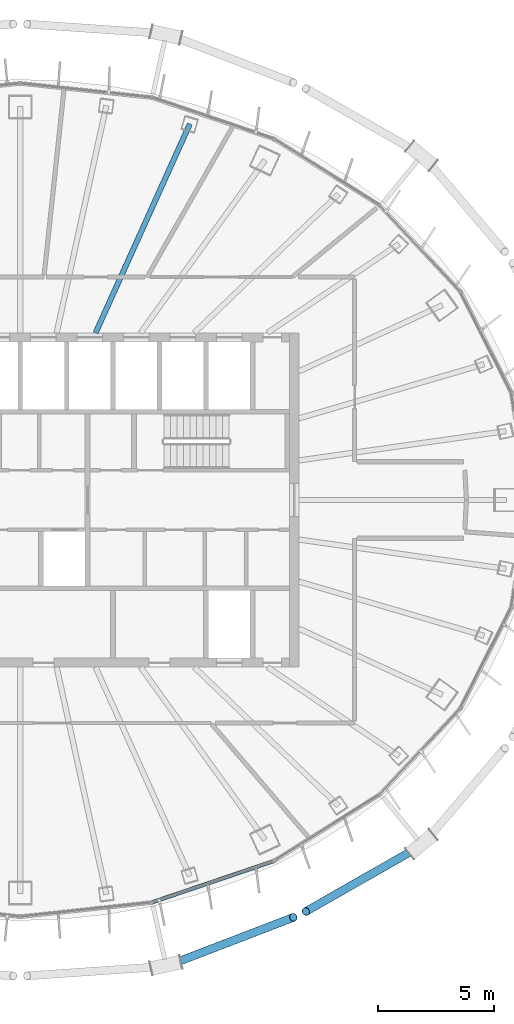
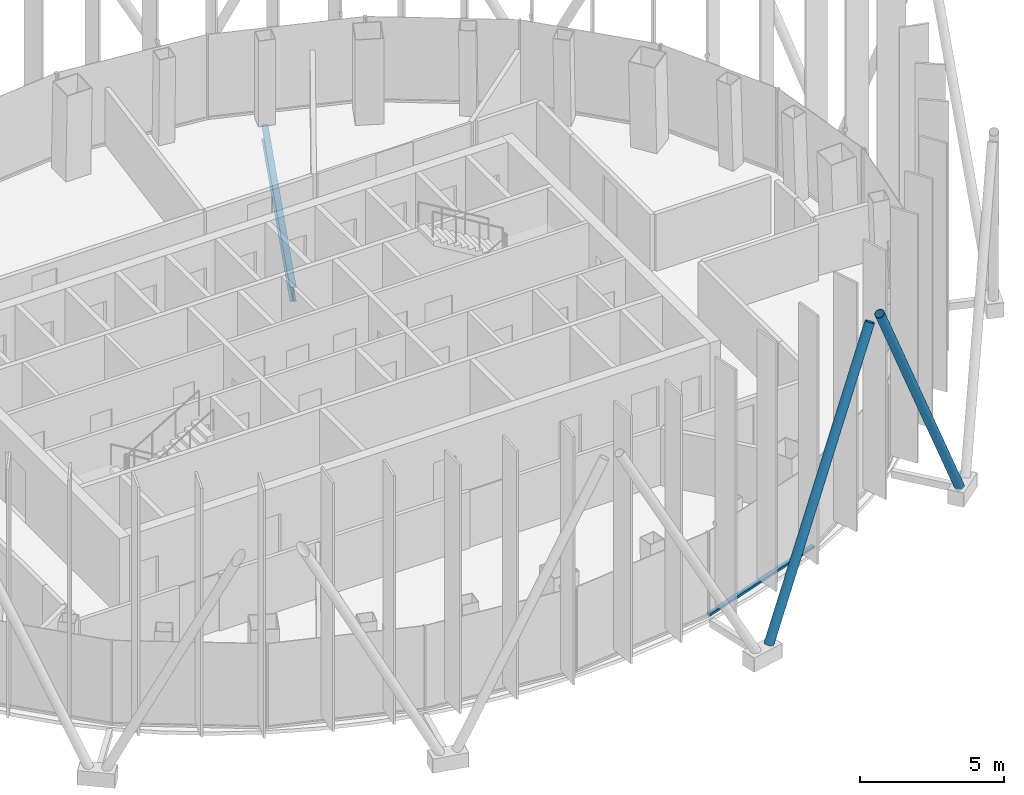
# One storey, part 5 of 19: 3 members, 1 beam, 1 element without a shape of its own.
"""IFC4 building model written with IfcOpenShell, lengths in metres."""

from ifc_helpers import new_model, si_unit, direction, frame, origin, origin_2d, place, context, subcontext, project, spatial, rectangle, hollow_circle, i_section, extrude, material, layer, layer_set, material_profile, profile_set, type_object, element, aggregate, save


model = new_model("IFC4")

# Units and contexts
model_context = context("Model", 3, precision=1e-05, world=origin(), true_north=direction((0.0, 1.0)))
body_context = subcontext(model_context, "Body", "Model", "MODEL_VIEW")
ifc_project = project(units=[si_unit("LENGTHUNIT", "METRE"), si_unit("AREAUNIT", "SQUARE_METRE"), si_unit("VOLUMEUNIT", "CUBIC_METRE"), si_unit("PLANEANGLEUNIT", "RADIAN"), si_unit("MASSUNIT", "GRAM", prefix="KILO")], contexts=[model_context])

# Site, building, storey
site_placement = place(None, origin())
site = spatial("IfcSite", under=ifc_project, at=site_placement, CompositionType="ELEMENT")
building_placement = place(site_placement, origin())
building = spatial("IfcBuilding", under=site, at=building_placement, Name="Siaravel Broadcast Tower", CompositionType="ELEMENT")
storey_placement = place(building_placement, frame((0.0, 0.0, 217.10009765625)))
storey = spatial("IfcBuildingStorey", under=building, at=storey_placement, Name="L52", CompositionType="ELEMENT", Elevation=217.10009765625)

# Beam
ifc_material_1 = material(Name="Steel S355", Category="steel")
ifc_material_profile_1 = material_profile(ifc_material_1, i_section(OverallWidth=0.2275390625, OverallDepth=0.6025390625, WebThickness=0.010498046875, FlangeThickness=0.014892578125, FilletRadius=0.0126953125, at=origin_2d()))
ifc_profile_set_1 = profile_set([ifc_material_profile_1], Name="Steel S355")
beam_type = type_object("IfcBeamType", Name="BM-UB 610x229x101", PredefinedType="BEAM", material=ifc_profile_set_1)
beam_placement = place(storey_placement, frame((7.3056640625, 16.188720703125, -0.451416015625), z_axis=(-0.411330004, -0.911486493, 0.0), x_axis=(0.911486493, -0.411330004, 0.0)))
element("IfcBeam", 1, at=beam_placement, inside=storey, type_object=beam_type, Name="Radial beam RB08", PredefinedType="BEAM", context=body_context, shape_type="SweptSolid", body=[
    extrude(i_section(OverallWidth=0.2275390625, OverallDepth=0.6025390625, WebThickness=0.010498046875, FlangeThickness=0.014892578125, FilletRadius=0.0126953125, at=origin_2d()), origin(), (0.0, 0.0, 1.0), 9.861572265625),
])

# Curtain wall, member
ifc_material_2 = material(Name="Aluminium 6063-T6", Category="aluminium")
ifc_layer = layer(ifc_material_2, 0.159912109375)
ifc_layer_set = layer_set([ifc_layer], Name="Aluminium 6063-T6")
curtain_wall_type = type_object("IfcCurtainWallType", Name="Unitised curtain wall, zone 4", PredefinedType="NOTDEFINED", material=ifc_layer_set)
curtain_wall_placement = place(storey_placement, origin())
curtain_wall = element("IfcCurtainWall", 2, at=curtain_wall_placement, inside=storey, type_object=curtain_wall_type, Name="L52 Unitised curtain wall, zone 4 10", PredefinedType="NOTDEFINED")
ifc_material_profile_2 = material_profile(ifc_material_2, rectangle(XDim=0.159912109375, YDim=0.090087890625, at=origin_2d()))
ifc_profile_set_2 = profile_set([ifc_material_profile_2], Name="Aluminium 6063-T6")
member_type_1 = type_object("IfcMemberType", Name="CW-Z4 transom", PredefinedType="USERDEFINED", material=ifc_profile_set_2)
member_1_placement = place(storey_placement, frame((5.6884765625, -17.31689453125, 0.044921875), z_axis=(0.946979908, 0.321292784, 0.0), x_axis=(-0.321292784, 0.946979908, 0.0)))
member_1 = element("IfcMember", 3, at=member_1_placement, type_object=member_type_1, Name="CW-Z4 transom 2", ObjectType="TRANSOM", PredefinedType="USERDEFINED", context=body_context, shape_type="SweptSolid", body=[
    extrude(rectangle(XDim=0.159912109375, YDim=0.090087890625, at=origin_2d()), origin(), (0.0, 0.0, 1.0), 5.489990234375),
])
aggregate(curtain_wall, [member_1])

# Members
ifc_material_3 = material(Name="Steel S460", Category="steel")
ifc_material_profile_3 = material_profile(ifc_material_3, hollow_circle(Radius=0.177734375, WallThickness=0.012451171875, at=origin_2d()))
ifc_profile_set_3 = profile_set([ifc_material_profile_3], Name="Steel S460")
member_type_2 = type_object("IfcMemberType", Name="Diagrid diagonal CHS 355.6x12.5", PredefinedType="BRACE", material=ifc_profile_set_3)
member_2_placement = place(storey_placement, frame((6.567626953125, -19.966552734375, 0.06982421875), z_axis=(0.433565517, 0.166901737, 0.885530774), x_axis=(-0.359252394, 0.933240439, 0.0)))
element("IfcMember", 4, at=member_2_placement, inside=storey, type_object=member_type_2, Name="Diagrid diagonal R22 station 57A", PredefinedType="BRACE", context=body_context, shape_type="SweptSolid", body=[
    extrude(hollow_circle(Radius=0.177734375, WallThickness=0.012451171875, at=origin_2d()), origin(), (0.0, 0.0, 1.0), 11.981689453125),
])
member_3_placement = place(storey_placement, frame((17.05029296875, -15.00244140625, 0.06982421875), z_axis=(-0.398166084, -0.227140765, 0.888746782), x_axis=(0.495509431, -0.868602558, 0.0)))
element("IfcMember", 5, at=member_3_placement, inside=storey, type_object=member_type_2, Name="Diagrid diagonal R22 station 63C", PredefinedType="BRACE", context=body_context, shape_type="SweptSolid", body=[
    extrude(hollow_circle(Radius=0.177734375, WallThickness=0.012451171875, at=origin_2d()), origin(), (0.0, 0.0, 1.0), 11.938232421875),
])

save(model, "model.ifc")
